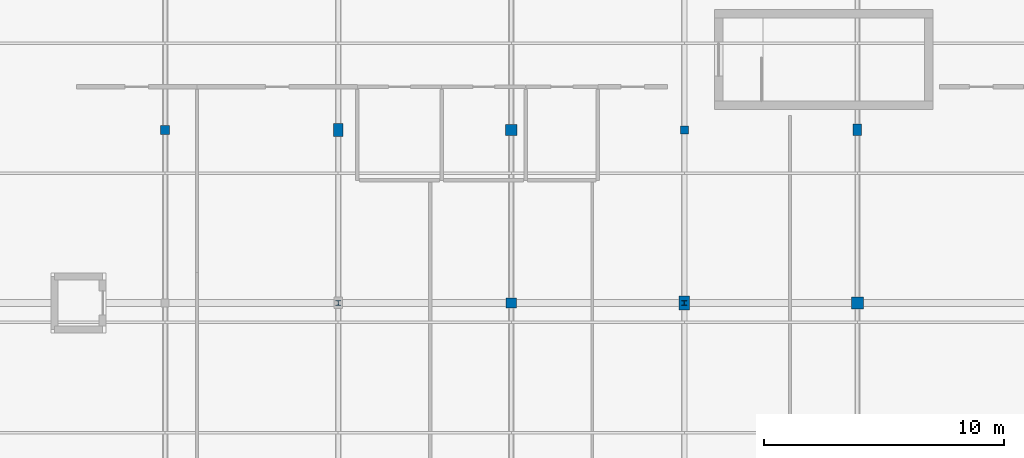
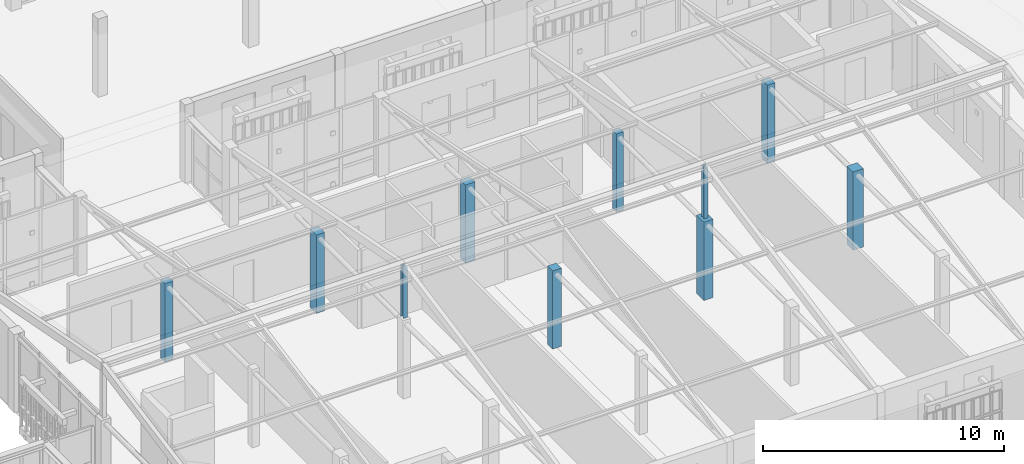
# One storey, part 9 of 112: 10 columns.
"""IFC4 building model written with IfcOpenShell, lengths in metres."""

from ifc_helpers import new_model, si_unit, direction, frame, origin, origin_2d, place, context, subcontext, project, spatial, rectangle, i_section, extrude, material, material_profile, profile_set, type_object, element, save


model = new_model("IFC4")

# Units and contexts
model_context = context("Model", 3, precision=1e-05, world=origin(), true_north=direction((0.0, 1.0)))
body_context = subcontext(model_context, "Body", "Model", "MODEL_VIEW")
ifc_project = project(units=[si_unit("LENGTHUNIT", "METRE"), si_unit("AREAUNIT", "SQUARE_METRE"), si_unit("VOLUMEUNIT", "CUBIC_METRE"), si_unit("PLANEANGLEUNIT", "RADIAN"), si_unit("MASSUNIT", "GRAM", prefix="KILO")], contexts=[model_context])

# Site, building, storey
site_placement = place(None, origin())
site = spatial("IfcSite", under=ifc_project, at=site_placement, CompositionType="ELEMENT")
building_placement = place(site_placement, origin())
building = spatial("IfcBuilding", under=site, at=building_placement, Name="Mazaris Harbour Polytechnic", CompositionType="ELEMENT")
storey_placement = place(building_placement, frame((0.0, 0.0, 13.800048828125)))
storey = spatial("IfcBuildingStorey", under=building, at=storey_placement, Name="L03", CompositionType="ELEMENT", Elevation=13.800048828125)

# Columns
ifc_material_1 = material(Name="Glulam GL28h", Category="wood")
ifc_material_profile_1 = material_profile(ifc_material_1, rectangle(XDim=0.340087890625, YDim=0.340087890625, at=origin_2d()), Name="RECT340x340")
ifc_profile_set_1 = profile_set([ifc_material_profile_1], Name="Glulam GL28h")
column_type_1 = type_object("IfcColumnType", Name="Glulam Column 340x340", PredefinedType="COLUMN", material=ifc_profile_set_1)
column_1_placement = place(storey_placement, frame((151.199951171875, 36.0, 0.0), z_axis=(0.0, 0.0, 1.0), x_axis=(1.0, 0.0, 0.0)))
element("IfcColumn", 1, at=column_1_placement, inside=storey, type_object=column_type_1, Name="V2 L03 Column 376", PredefinedType="COLUMN", context=body_context, shape_type="SweptSolid", body=[
    extrude(rectangle(XDim=0.340087890625, YDim=0.340087890625, at=origin_2d()), origin(), (0.0, 0.0, 1.0), 3.9599609375),
])
ifc_material_2 = material(Name="Glulam GL28h", Category="wood")
ifc_material_profile_2 = material_profile(ifc_material_2, rectangle(XDim=0.360107421875, YDim=0.47998046875, at=origin_2d()), Name="RECT360x480")
ifc_profile_set_2 = profile_set([ifc_material_profile_2], Name="Glulam GL28h")
column_type_2 = type_object("IfcColumnType", Name="Glulam Column 360x480", PredefinedType="COLUMN", material=ifc_profile_set_2)
column_2_placement = place(storey_placement, frame((158.39990234375, 36.0, 0.0), z_axis=(0.0, 0.0, 1.0), x_axis=(1.0, 0.0, 0.0)))
element("IfcColumn", 2, at=column_2_placement, inside=storey, type_object=column_type_2, Name="V2 L03 Column 381", PredefinedType="COLUMN", context=body_context, shape_type="SweptSolid", body=[
    extrude(rectangle(XDim=0.360107421875, YDim=0.47998046875, at=origin_2d()), origin(), (0.0, 0.0, 1.0), 3.9599609375),
])
ifc_material_3 = material(Name="Glulam GL28h", Category="wood")
ifc_material_profile_3 = material_profile(ifc_material_3, rectangle(XDim=0.3798828125, YDim=0.3798828125, at=origin_2d()), Name="RECT380x380")
ifc_profile_set_3 = profile_set([ifc_material_profile_3], Name="Glulam GL28h")
column_type_3 = type_object("IfcColumnType", Name="Glulam Column 380x380", PredefinedType="COLUMN", material=ifc_profile_set_3)
column_3_placement = place(storey_placement, frame((129.60009765625, 36.0, 0.0), z_axis=(0.0, 0.0, 1.0), x_axis=(1.0, 0.0, 0.0)))
element("IfcColumn", 3, at=column_3_placement, inside=storey, type_object=column_type_3, Name="V2 L03 Column 361", PredefinedType="COLUMN", context=body_context, shape_type="SweptSolid", body=[
    extrude(rectangle(XDim=0.3798828125, YDim=0.3798828125, at=origin_2d()), origin(), (0.0, 0.0, 1.0), 3.9599609375),
])
ifc_material_4 = material(Name="Glulam GL28h", Category="wood")
ifc_material_profile_4 = material_profile(ifc_material_4, rectangle(XDim=0.39990234375, YDim=0.5400390625, at=origin_2d()), Name="RECT400x540")
ifc_profile_set_4 = profile_set([ifc_material_profile_4], Name="Glulam GL28h")
column_type_4 = type_object("IfcColumnType", Name="Glulam Column 400x540", PredefinedType="COLUMN", material=ifc_profile_set_4)
column_4_placement = place(storey_placement, frame((136.800048828125, 36.0, 0.0), z_axis=(0.0, 0.0, 1.0), x_axis=(1.0, 0.0, 0.0)))
element("IfcColumn", 4, at=column_4_placement, inside=storey, type_object=column_type_4, Name="V2 L03 Column 366", PredefinedType="COLUMN", context=body_context, shape_type="SweptSolid", body=[
    extrude(rectangle(XDim=0.39990234375, YDim=0.5400390625, at=origin_2d()), origin(), (0.0, 0.0, 1.0), 3.9599609375),
])
ifc_material_5 = material(Name="Glulam GL28h", Category="wood")
ifc_material_profile_5 = material_profile(ifc_material_5, rectangle(XDim=0.419921875, YDim=0.419921875, at=origin_2d()), Name="RECT420x420")
ifc_profile_set_5 = profile_set([ifc_material_profile_5], Name="Glulam GL28h")
column_type_5 = type_object("IfcColumnType", Name="Glulam Column 420x420", PredefinedType="COLUMN", material=ifc_profile_set_5)
column_5_placement = place(storey_placement, frame((144.0, 28.800048828125, 0.0), z_axis=(0.0, 0.0, 1.0), x_axis=(1.0, 0.0, 0.0)))
element("IfcColumn", 5, at=column_5_placement, inside=storey, type_object=column_type_5, Name="V2 L03 Column 370", PredefinedType="COLUMN", context=body_context, shape_type="SweptSolid", body=[
    extrude(rectangle(XDim=0.419921875, YDim=0.419921875, at=origin_2d()), origin(), (0.0, 0.0, 1.0), 3.9599609375),
])
ifc_material_6 = material(Name="Glulam GL28h", Category="wood")
ifc_material_profile_6 = material_profile(ifc_material_6, rectangle(XDim=0.43994140625, YDim=0.60009765625, at=origin_2d()), Name="RECT440x600")
ifc_profile_set_6 = profile_set([ifc_material_profile_6], Name="Glulam GL28h")
column_type_6 = type_object("IfcColumnType", Name="Glulam Column 440x600", PredefinedType="COLUMN", material=ifc_profile_set_6)
column_6_placement = place(storey_placement, frame((151.199951171875, 28.800048828125, 0.0), z_axis=(0.0, 0.0, 1.0), x_axis=(1.0, 0.0, 0.0)))
element("IfcColumn", 6, at=column_6_placement, inside=storey, type_object=column_type_6, Name="V2 L03 Column 375", PredefinedType="COLUMN", context=body_context, shape_type="SweptSolid", body=[
    extrude(rectangle(XDim=0.43994140625, YDim=0.60009765625, at=origin_2d()), origin(), (0.0, 0.0, 1.0), 3.9599609375),
])
ifc_material_7 = material(Name="Glulam GL28h", Category="wood")
ifc_material_profile_7 = material_profile(ifc_material_7, rectangle(XDim=0.4599609375, YDim=0.4599609375, at=origin_2d()), Name="RECT460x460")
ifc_profile_set_7 = profile_set([ifc_material_profile_7], Name="Glulam GL28h")
column_type_7 = type_object("IfcColumnType", Name="Glulam Column 460x460", PredefinedType="COLUMN", material=ifc_profile_set_7)
column_7_placement = place(storey_placement, frame((144.0, 36.0, 0.0), z_axis=(0.0, 0.0, 1.0), x_axis=(1.0, 0.0, 0.0)))
element("IfcColumn", 7, at=column_7_placement, inside=storey, type_object=column_type_7, Name="V2 L03 Column 371", PredefinedType="COLUMN", context=body_context, shape_type="SweptSolid", body=[
    extrude(rectangle(XDim=0.4599609375, YDim=0.4599609375, at=origin_2d()), origin(), (0.0, 0.0, 1.0), 3.9599609375),
])
ifc_material_8 = material(Name="Glulam GL28h", Category="wood")
ifc_material_profile_8 = material_profile(ifc_material_8, rectangle(XDim=0.5, YDim=0.5, at=origin_2d()), Name="RECT500x500")
ifc_profile_set_8 = profile_set([ifc_material_profile_8], Name="Glulam GL28h")
column_type_8 = type_object("IfcColumnType", Name="Glulam Column 500x500", PredefinedType="COLUMN", material=ifc_profile_set_8)
column_8_placement = place(storey_placement, frame((158.39990234375, 28.800048828125, 0.0), z_axis=(0.0, 0.0, 1.0), x_axis=(1.0, 0.0, 0.0)))
element("IfcColumn", 8, at=column_8_placement, inside=storey, type_object=column_type_8, Name="V2 L03 Column 380", PredefinedType="COLUMN", context=body_context, shape_type="SweptSolid", body=[
    extrude(rectangle(XDim=0.5, YDim=0.5, at=origin_2d()), origin(), (0.0, 0.0, 1.0), 3.9599609375),
])
ifc_material_9 = material(Name="Steel S355", Category="steel")
ifc_material_profile_9 = material_profile(ifc_material_9, i_section(OverallWidth=0.199951171875, OverallDepth=0.199951171875, WebThickness=0.009033203125, FlangeThickness=0.014892578125, FilletRadius=0.01806640625, at=origin_2d()), Name="HEB 200")
ifc_profile_set_9 = profile_set([ifc_material_profile_9], Name="Steel S355")
column_type_9 = type_object("IfcColumnType", Name="Steel Column HEB200", PredefinedType="COLUMN", material=ifc_profile_set_9)
for number, where, z_axis, x_axis, name in (
    (9, (136.800048828125, 28.800048828125, 3.9599609375), (0.0, 0.0, 1.0), (1.0, 0.0, 0.0), "V2 Pavilion Ridge King Post 136.8"),
    (10, (151.199951171875, 28.800048828125, 3.9599609375), (0.0, 0.0, 1.0), (1.0, 0.0, 0.0), "V2 Pavilion Ridge King Post 151.2"),
):
    element("IfcColumn", number, at=place(storey_placement, frame(where, z_axis=z_axis, x_axis=x_axis)), inside=storey, type_object=column_type_9, Name=name, PredefinedType="COLUMN", context=body_context, shape_type="SweptSolid", body=[
        extrude(i_section(OverallWidth=0.199951171875, OverallDepth=0.199951171875, WebThickness=0.009033203125, FlangeThickness=0.014892578125, FilletRadius=0.01806640625, at=origin_2d()), origin(), (0.0, 0.0, 1.0), 2.655029296875),
    ])

save(model, "model.ifc")
